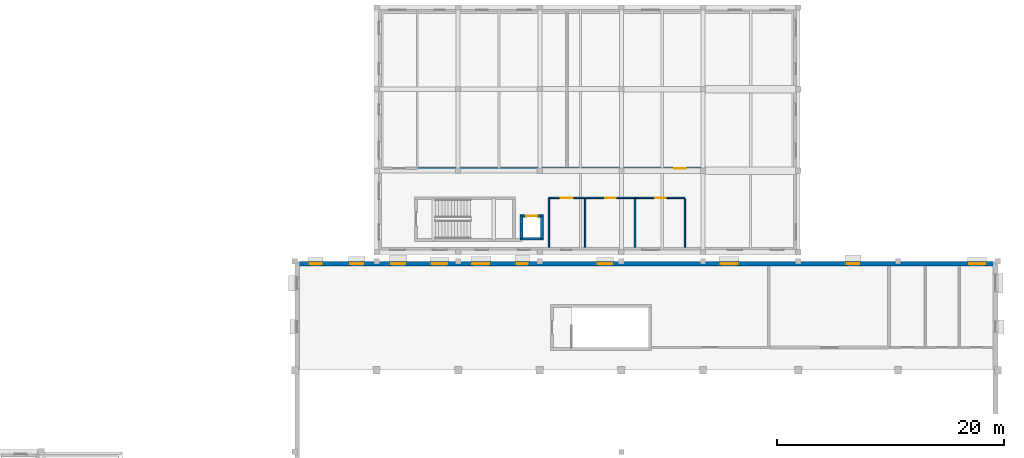
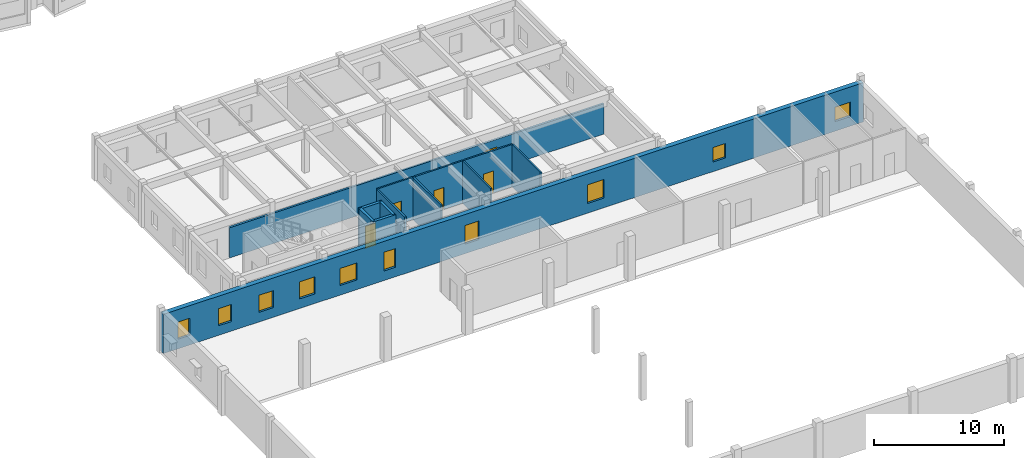
# One storey, part 35 of 49: 13 walls, 10 windows, 5 doors, 15 openings.
"""IFC4 building model written with IfcOpenShell, lengths in metres."""

import ifcopenshell
import ifcopenshell.guid

model = None  # the IFC model being written
_history = None  # IfcOwnerHistory: only IFC2X3 demands one
_inside = {}  # id of a spatial element -> (the spatial element, [elements in it])
_under = {}  # id of a project, library or spatial element -> (it, [spatial elements below it])
_declared = {}  # id of a project -> (the project, [libraries it declares])
_typed = {}  # id of a type object -> (the type object, [elements of that type])
_made_of = {}  # id of a material, layer set ... -> (it, [elements and type objects made of it])


def new_model(schema):
    """Start an empty IFC model of exactly this schema.

    Asked for "IFC4X3", IfcOpenShell would pick the latest addendum, in which some entities
    have other attributes; the version numbers below select the first issue.
    IFC2X3 requires an IfcOwnerHistory on every rooted entity: one is made here for all.
    """
    global model, _history
    if schema == "IFC4X3":
        model = ifcopenshell.file(schema_version=(4, 3, 0, 0))
    else:
        model = ifcopenshell.file(schema=schema)
    _inside.clear()
    _under.clear()
    _declared.clear()
    _typed.clear()
    _made_of.clear()
    _history = None
    if model.schema == "IFC2X3":
        org = make("IfcOrganization", Name="unknown")
        user = make(
            "IfcPersonAndOrganization",
            ThePerson=make("IfcPerson", FamilyName="unknown"),
            TheOrganization=org,
        )
        app = make(
            "IfcApplication",
            ApplicationDeveloper=org,
            Version="unknown",
            ApplicationFullName="unknown",
            ApplicationIdentifier="unknown",
        )
        _history = make(
            "IfcOwnerHistory",
            OwningUser=user,
            OwningApplication=app,
            ChangeAction="ADDED",
            CreationDate=0,
        )
    return model


def make(cls, **values):
    """One entity of the class cls with the attributes given. An attribute that is None is left unset."""
    return model.create_entity(
        cls, **{name: value for name, value in values.items() if value is not None}
    )


def rooted(cls, **values):
    """An entity with a GlobalId (a new one), such as an element, a storey or a relation."""
    return make(cls, GlobalId=ifcopenshell.guid.new(), OwnerHistory=_history, **values)


def si_unit(unit_type, name, prefix=None):
    """IfcSIUnit, for example si_unit("LENGTHUNIT", "METRE", prefix="MILLI")."""
    return make("IfcSIUnit", UnitType=unit_type, Prefix=prefix, Name=name)


def assignment(units):
    """IfcUnitAssignment: the units of a project."""
    return None if units is None else make("IfcUnitAssignment", Units=units)


def point(xyz):
    """IfcCartesianPoint."""
    return None if xyz is None else make("IfcCartesianPoint", Coordinates=xyz)


def direction(xyz):
    """IfcDirection."""
    return None if xyz is None else make("IfcDirection", DirectionRatios=xyz)


def frame(location, z_axis=None, x_axis=None):
    """IfcAxis2Placement3D, a coordinate frame: its origin and axes. An axis left out is left unset."""
    return make(
        "IfcAxis2Placement3D",
        Location=point(location),
        Axis=direction(z_axis),
        RefDirection=direction(x_axis),
    )


def frame_2d(location, x_axis=None):
    """IfcAxis2Placement2D, a coordinate frame in the plane: its origin and x axis."""
    return make(
        "IfcAxis2Placement2D", Location=point(location), RefDirection=direction(x_axis)
    )


def origin():
    """The frame at (0, 0, 0) with its axes left unset."""
    return frame((0.0, 0.0, 0.0))


def place(relative_to, where):
    """IfcLocalPlacement: puts the frame where relative to a parent placement (None: the world)."""
    return make(
        "IfcLocalPlacement", PlacementRelTo=relative_to, RelativePlacement=where
    )


def context(
    kind, dimensions, precision=None, world=None, true_north=None, identifier=None
):
    """IfcGeometricRepresentationContext, for example the 3D "Model" context."""
    return make(
        "IfcGeometricRepresentationContext",
        ContextIdentifier=identifier,
        ContextType=kind,
        CoordinateSpaceDimension=dimensions,
        Precision=precision,
        WorldCoordinateSystem=world,
        TrueNorth=true_north,
    )


def subcontext(parent, identifier, kind, view, scale=None):
    """IfcGeometricRepresentationSubContext, for example "Body" below "Model"."""
    return make(
        "IfcGeometricRepresentationSubContext",
        ContextIdentifier=identifier,
        ContextType=kind,
        ParentContext=parent,
        TargetScale=scale,
        TargetView=view,
    )


def project(units=None, contexts=None):
    """IfcProject with its units and contexts."""
    return rooted(
        "IfcProject",
        Name="project",
        RepresentationContexts=contexts,
        UnitsInContext=assignment(units),
    )


def spatial(cls, under=None, at=None, **own):
    """A site, building, storey or space (cls), placed at a placement, below another one or the project."""
    s = rooted(cls, ObjectPlacement=at, **own)
    if under is not None:
        _under.setdefault(under.id(), (under, []))[1].append(s)
    return s


def profile(cls, at=None, kind="AREA", **sizes):
    """A parametric profile (cls). Its sizes go by their IFC names, for example OverallWidth=200.0."""
    return make(cls, ProfileType=kind, Position=at, **sizes)


def rectangle(**sizes):
    """IfcRectangleProfileDef."""
    return profile("IfcRectangleProfileDef", **sizes)


def extrude(swept, where, along, depth):
    """IfcExtrudedAreaSolid: the profile swept, set in the frame where, extruded along a direction by depth."""
    return make(
        "IfcExtrudedAreaSolid",
        SweptArea=swept,
        Position=where,
        ExtrudedDirection=direction(along),
        Depth=depth,
    )


def shape(context_of_items, identifier, shape_type, items):
    """IfcShapeRepresentation: the items that make up one representation, for example the "Body"."""
    return make(
        "IfcShapeRepresentation",
        ContextOfItems=context_of_items,
        RepresentationIdentifier=identifier,
        RepresentationType=shape_type,
        Items=items,
    )


def material(Name=None, Category=None):
    """IfcMaterial."""
    return make("IfcMaterial", Name=Name, Category=Category)


def layer(
    of_material, thickness, ventilated=None, Name=None, Category=None, Priority=None
):
    """IfcMaterialLayer: one layer of a wall or slab, of a material (None: an air gap)."""
    return make(
        "IfcMaterialLayer",
        Material=of_material,
        LayerThickness=thickness,
        IsVentilated=ventilated,
        Name=Name,
        Category=Category,
        Priority=Priority,
    )


def layer_set(layers, Name=None):
    """IfcMaterialLayerSet."""
    return make("IfcMaterialLayerSet", MaterialLayers=layers, LayerSetName=Name)


def made_of(thing, what):
    """Note that an element or type object is made of a material, layer set ...; save() writes the relation."""
    if what is not None:
        _made_of.setdefault(what.id(), (what, []))[1].append(thing)
    return thing


def type_object(cls, material=None, **own):
    """A type object (cls), such as IfcWallType, which elements share."""
    return made_of(rooted(cls, **own), material)


def element(
    cls,
    number,
    at=None,
    inside=None,
    cuts=None,
    type_object=None,
    material=None,
    context=None,
    identifier="Body",
    shape_type=None,
    held_by="IfcProductDefinitionShape",
    body=None,
    shapes=None,
    **own,
):
    """One element of the class cls, such as IfcWall. Its Tag is "e" and its number.

    at: its placement. inside: the storey or other place that contains it. cuts: it is an
    opening in that element (IfcRelVoidsElement). A single representation is given by context,
    identifier, shape_type and body (its items); several are given by shapes. held_by: the class
    of the entity that holds the representations. save() writes the other relations.
    """
    e = rooted(cls, Tag="e%d" % number, ObjectPlacement=at, **own)
    if body is not None:
        shapes = [shape(context, identifier, shape_type, body)]
    if shapes is not None:
        e.Representation = make(held_by, Representations=shapes)
    if inside is not None:
        _inside.setdefault(inside.id(), (inside, []))[1].append(e)
    if cuts is not None:
        rooted(
            "IfcRelVoidsElement", RelatingBuildingElement=cuts, RelatedOpeningElement=e
        )
    if type_object is not None:
        _typed.setdefault(type_object.id(), (type_object, []))[1].append(e)
    return made_of(e, material)


def fill(opening, filler):
    """IfcRelFillsElement: the door or window that sits in an opening."""
    return rooted(
        "IfcRelFillsElement",
        RelatingOpeningElement=opening,
        RelatedBuildingElement=filler,
    )


def aggregate(whole, parts):
    """IfcRelAggregates: a whole, such as a stair, and the parts it consists of."""
    return rooted("IfcRelAggregates", RelatingObject=whole, RelatedObjects=parts)


def save(model, path):
    """Write the relations noted so far, then the file.

    IfcRelAggregates (storeys below a building ...), IfcRelContainedInSpatialStructure (elements
    in a storey), IfcRelDefinesByType, IfcRelAssociatesMaterial and IfcRelDeclares: one each for
    every whole, place, type object, material and project.
    """
    for whole, parts in _under.values():
        aggregate(whole, parts)
    for where, things in _inside.values():
        rooted(
            "IfcRelContainedInSpatialStructure",
            RelatedElements=things,
            RelatingStructure=where,
        )
    for kind, things in _typed.values():
        rooted("IfcRelDefinesByType", RelatedObjects=things, RelatingType=kind)
    for what, things in _made_of.values():
        rooted("IfcRelAssociatesMaterial", RelatedObjects=things, RelatingMaterial=what)
    for by, libraries in _declared.values():
        rooted("IfcRelDeclares", RelatingContext=by, RelatedDefinitions=libraries)
    model.write(path)


model = new_model("IFC4")

# Units and contexts
model_context = context("Model", 3, precision=1e-05, world=origin(), true_north=direction((0.0, 1.0)))
body_context = subcontext(model_context, "Body", "Model", "MODEL_VIEW")
ifc_project = project(units=[si_unit("LENGTHUNIT", "METRE"), si_unit("AREAUNIT", "SQUARE_METRE"), si_unit("VOLUMEUNIT", "CUBIC_METRE"), si_unit("PLANEANGLEUNIT", "RADIAN"), si_unit("MASSUNIT", "GRAM", prefix="KILO")], contexts=[model_context])

# Site, building, storey
site_placement = place(None, origin())
site = spatial("IfcSite", under=ifc_project, at=site_placement, CompositionType="ELEMENT")
building_placement = place(site_placement, origin())
building = spatial("IfcBuilding", under=site, at=building_placement, Name="Bramveld Media Centre", CompositionType="ELEMENT")
storey_placement = place(building_placement, frame((0.0, 0.0, 9.60009765625)))
storey = spatial("IfcBuildingStorey", under=building, at=storey_placement, Name="L02", CompositionType="ELEMENT", Elevation=9.60009765625)

# Wall
ifc_material_1 = material(Name="Concrete C40/50 stair & lift core wall", Category="concrete")
ifc_layer_1 = layer(ifc_material_1, 0.25)
ifc_layer_set_1 = layer_set([ifc_layer_1], Name="Concrete C40/50 stair & lift core wall")
wall_type_1 = type_object("IfcWallType", Name="CWALL-SHEAR-250", PredefinedType="SHEAR", material=ifc_layer_set_1)
wall_1_placement = place(storey_placement, frame((143.875, 40.39990234375, 0.0), z_axis=(0.0, 0.0, 1.0), x_axis=(1.0, 0.0, 0.0)))
element("IfcWall", 1, at=wall_1_placement, inside=storey, type_object=wall_type_1, Name="PL-06 L02 lift shaft wall S", PredefinedType="SHEAR", context=body_context, shape_type="SweptSolid", body=[
    extrude(rectangle(XDim=2.050048828125, YDim=0.25, at=frame_2d((1.02490234375, 0.0))), origin(), (0.0, 0.0, 1.0), 3.9599609375),
])

# Wall, opening, door
wall_2_placement = place(storey_placement, frame((145.925048828125, 42.39990234375, 0.0), z_axis=(0.0, 0.0, 1.0), x_axis=(-1.0, 0.0, 0.0)))
wall_2 = element("IfcWall", 2, at=wall_2_placement, inside=storey, type_object=wall_type_1, Name="PL-06 L02 lift shaft wall N", PredefinedType="SHEAR", context=body_context, shape_type="SweptSolid", body=[
    extrude(rectangle(XDim=2.050048828125, YDim=0.25, at=frame_2d((1.02490234375, 0.0))), origin(), (0.0, 0.0, 1.0), 3.9599609375),
])
opening_1_placement = place(wall_2_placement, frame((0.550048828125, 0.0, 0.0)))
opening_1 = element("IfcOpeningElement", 3, at=opening_1_placement, cuts=wall_2, Name="Opening LD-03-06-L02", PredefinedType="OPENING", context=body_context, shape_type="SweptSolid", body=[
    extrude(rectangle(XDim=0.949951171875, YDim=2.10009765625, at=frame_2d((0.47509765625, 1.050048828125))), frame((0.0, 0.136962890625, 0.0), z_axis=(0.0, -1.0, 0.0), x_axis=(1.0, 0.0, 0.0)), (0.0, 0.0, 1.0), 0.27392578125),
])
ifc_material_2 = material(Name="Brushed stainless steel automatic fire-rated sliding lift landing door", Category="steel")
door_type_1 = type_object("IfcDoorType", Name="LD-TYPE-03", OperationType="SLIDING_TO_LEFT", PredefinedType="DOOR", material=ifc_material_2)
door_1_placement = place(opening_1_placement, origin())
door_1 = element("IfcDoor", 4, at=door_1_placement, inside=storey, type_object=door_type_1, Name="PL-06 L02 sliding lift landing door", OperationType="SLIDING_TO_LEFT", OverallHeight=2.10009765625, OverallWidth=0.949951171875, PredefinedType="DOOR", context=body_context, shape_type="SweptSolid", body=[
    extrude(rectangle(XDim=0.949951171875, YDim=2.10009765625, at=frame_2d((0.47509765625, 1.050048828125))), frame((0.0, 0.02490234375, 0.0), z_axis=(0.0, -1.0, 0.0), x_axis=(1.0, 0.0, 0.0)), (0.0, 0.0, 1.0), 0.050048828125),
])
fill(opening_1, door_1)

# Walls
for number, where, z_axis, x_axis, name in (
    (5, (144.0, 42.39990234375, 0.0), (0.0, 0.0, 1.0), (0.0, -1.0, 0.0), "PL-06 L02 lift shaft wall W"),
    (6, (145.800048828125, 40.39990234375, 0.0), (0.0, 0.0, 1.0), (0.0, 1.0, 0.0), "PL-06 L02 lift shaft wall E"),
):
    element("IfcWall", number, at=place(storey_placement, frame(where, z_axis=z_axis, x_axis=x_axis)), inside=storey, type_object=wall_type_1, Name=name, PredefinedType="SHEAR", context=body_context, shape_type="SweptSolid", body=[
        extrude(rectangle(XDim=2.0, YDim=0.25, at=frame_2d((1.0, 0.0))), origin(), (0.0, 0.0, 1.0), 3.9599609375),
    ])

# Wall, openings, windows
ifc_material_3 = material(Name="Flemish red-brown clay facing brick cavity wall with concrete C35/45 inner leaf", Category="masonry")
ifc_layer_2 = layer(ifc_material_3, 0.419921875)
ifc_layer_set_2 = layer_set([ifc_layer_2], Name="Flemish red-brown clay facing brick cavity wall with concrete C35/45 inner leaf")
wall_type_2 = type_object("IfcWallType", Name="EW-BRK-420", PredefinedType="SOLIDWALL", material=ifc_layer_set_2)
wall_3_placement = place(storey_placement, frame((124.0, 38.18994140625, 0.0), z_axis=(0.0, 0.0, 1.0), x_axis=(1.0, 0.0, 0.0)))
wall_3 = element("IfcWall", 7, at=wall_3_placement, inside=storey, type_object=wall_type_2, Name="V1 L02 N facing brick exterior wall", PredefinedType="SOLIDWALL", context=body_context, shape_type="SweptSolid", body=[
    extrude(rectangle(XDim=62.0, YDim=0.419921875, at=frame_2d((31.0, 0.0))), origin(), (0.0, 0.0, 1.0), 3.6748046875),
])
opening_2_placement = place(wall_3_placement, frame((1.298583984375, 0.0, 0.89990234375)))
opening_2 = element("IfcOpeningElement", 8, at=opening_2_placement, cuts=wall_3, Name="Opening W-14", PredefinedType="OPENING", context=body_context, shape_type="SweptSolid", body=[
    extrude(rectangle(XDim=1.050048828125, YDim=1.60009765625, at=frame_2d((0.52490234375, 0.800048828125))), frame((0.0, 0.221923828125, 0.0), z_axis=(0.0, -1.0, 0.0), x_axis=(1.0, 0.0, 0.0)), (0.0, 0.0, 1.0), 0.44384765625),
])
opening_3_placement = place(wall_3_placement, frame((4.8955078125, 0.0, 0.89990234375)))
opening_3 = element("IfcOpeningElement", 9, at=opening_3_placement, cuts=wall_3, Name="Opening W-15", PredefinedType="OPENING", context=body_context, shape_type="SweptSolid", body=[
    extrude(rectangle(XDim=1.14990234375, YDim=1.60009765625, at=frame_2d((0.574951171875, 0.800048828125))), frame((0.0, 0.221923828125, 0.0), z_axis=(0.0, -1.0, 0.0), x_axis=(1.0, 0.0, 0.0)), (0.0, 0.0, 1.0), 0.44384765625),
])
opening_4_placement = place(wall_3_placement, frame((8.49267578125, 0.0, 0.89990234375)))
opening_4 = element("IfcOpeningElement", 10, at=opening_4_placement, cuts=wall_3, Name="Opening W-16", PredefinedType="OPENING", context=body_context, shape_type="SweptSolid", body=[
    extrude(rectangle(XDim=1.25, YDim=1.60009765625, at=frame_2d((0.625, 0.800048828125))), frame((0.0, 0.221923828125, 0.0), z_axis=(0.0, -1.0, 0.0), x_axis=(1.0, 0.0, 0.0)), (0.0, 0.0, 1.0), 0.44384765625),
])
opening_5_placement = place(wall_3_placement, frame((12.07470703125, 0.0, 0.89990234375)))
opening_5 = element("IfcOpeningElement", 11, at=opening_5_placement, cuts=wall_3, Name="Opening W-17", PredefinedType="OPENING", context=body_context, shape_type="SweptSolid", body=[
    extrude(rectangle(XDim=1.3798828125, YDim=1.60009765625, at=frame_2d((0.68994140625, 0.800048828125))), frame((0.0, 0.221923828125, 0.0), z_axis=(0.0, -1.0, 0.0), x_axis=(1.0, 0.0, 0.0)), (0.0, 0.0, 1.0), 0.44384765625),
])
opening_6_placement = place(wall_3_placement, frame((15.661865234375, 0.0, 0.89990234375)))
opening_6 = element("IfcOpeningElement", 12, at=opening_6_placement, cuts=wall_3, Name="Opening W-18", PredefinedType="OPENING", context=body_context, shape_type="SweptSolid", body=[
    extrude(rectangle(XDim=1.5, YDim=1.60009765625, at=frame_2d((0.75, 0.800048828125))), frame((0.0, 0.221923828125, 0.0), z_axis=(0.0, -1.0, 0.0), x_axis=(1.0, 0.0, 0.0)), (0.0, 0.0, 1.0), 0.44384765625),
])
opening_7_placement = place(wall_3_placement, frame((19.558837890625, 0.0, 0.89990234375)))
opening_7 = element("IfcOpeningElement", 13, at=opening_7_placement, cuts=wall_3, Name="Opening W-19", PredefinedType="OPENING", context=body_context, shape_type="SweptSolid", body=[
    extrude(rectangle(XDim=1.0, YDim=1.75, at=frame_2d((0.5, 0.875))), frame((0.0, 0.221923828125, 0.0), z_axis=(0.0, -1.0, 0.0), x_axis=(1.0, 0.0, 0.0)), (0.0, 0.0, 1.0), 0.44384765625),
])
opening_8_placement = place(wall_3_placement, frame((26.73291015625, 0.0, 0.89990234375)))
opening_8 = element("IfcOpeningElement", 14, at=opening_8_placement, cuts=wall_3, Name="Opening W-21", PredefinedType="OPENING", context=body_context, shape_type="SweptSolid", body=[
    extrude(rectangle(XDim=1.239990234375, YDim=1.75, at=frame_2d((0.6201171875, 0.875))), frame((0.0, 0.221923828125, 0.0), z_axis=(0.0, -1.0, 0.0), x_axis=(1.0, 0.0, 0.0)), (0.0, 0.0, 1.0), 0.44384765625),
])
opening_9_placement = place(wall_3_placement, frame((37.544189453125, 0.0, 0.89990234375)))
opening_9 = element("IfcOpeningElement", 15, at=opening_9_placement, cuts=wall_3, Name="Opening W-24", PredefinedType="OPENING", context=body_context, shape_type="SweptSolid", body=[
    extrude(rectangle(XDim=1.5, YDim=1.75, at=frame_2d((0.75, 0.875))), frame((0.0, 0.221923828125, 0.0), z_axis=(0.0, -1.0, 0.0), x_axis=(1.0, 0.0, 0.0)), (0.0, 0.0, 1.0), 0.44384765625),
])
opening_10_placement = place(wall_3_placement, frame((48.685302734375, 0.0, 0.89990234375)))
opening_10 = element("IfcOpeningElement", 16, at=opening_10_placement, cuts=wall_3, Name="Opening W-03", PredefinedType="OPENING", context=body_context, shape_type="SweptSolid", body=[
    extrude(rectangle(XDim=1.10009765625, YDim=1.35009765625, at=frame_2d((0.550048828125, 0.675048828125))), frame((0.0, 0.221923828125, 0.0), z_axis=(0.0, -1.0, 0.0), x_axis=(1.0, 0.0, 0.0)), (0.0, 0.0, 1.0), 0.44384765625),
])
opening_11_placement = place(wall_3_placement, frame((59.4765625, 0.0, 0.89990234375)))
opening_11 = element("IfcOpeningElement", 17, at=opening_11_placement, cuts=wall_3, Name="Opening W-06", PredefinedType="OPENING", context=body_context, shape_type="SweptSolid", body=[
    extrude(rectangle(XDim=1.39990234375, YDim=1.35009765625, at=frame_2d((0.699951171875, 0.675048828125))), frame((0.0, 0.221923828125, 0.0), z_axis=(0.0, -1.0, 0.0), x_axis=(1.0, 0.0, 0.0)), (0.0, 0.0, 1.0), 0.44384765625),
])
ifc_material_4 = material(Name="Thermally broken anodized bronze aluminium frame with triple acoustic glazing", Category="aluminium")
window_type_1 = type_object("IfcWindowType", Name="WIN-FAC-03", PartitioningType="SINGLE_PANEL", PredefinedType="WINDOW", material=ifc_material_4)
window_1_placement = place(opening_10_placement, origin())
window_1 = element("IfcWindow", 18, at=window_1_placement, inside=storey, type_object=window_type_1, Name="V1 L02 N acoustic facade window", OverallHeight=1.35009765625, OverallWidth=1.10009765625, PartitioningType="SINGLE_PANEL", PredefinedType="WINDOW", context=body_context, shape_type="SweptSolid", body=[
    extrude(rectangle(XDim=1.10009765625, YDim=1.35009765625, at=frame_2d((0.550048828125, 0.675048828125))), frame((0.0, 0.030029296875, 0.0), z_axis=(0.0, -1.0, 0.0), x_axis=(1.0, 0.0, 0.0)), (0.0, 0.0, 1.0), 0.06005859375),
])
fill(opening_10, window_1)
ifc_material_5 = material(Name="Thermally broken anodized bronze aluminium frame with triple acoustic glazing", Category="aluminium")
window_type_2 = type_object("IfcWindowType", Name="WIN-FAC-06", PartitioningType="SINGLE_PANEL", PredefinedType="WINDOW", material=ifc_material_5)
window_2_placement = place(opening_11_placement, origin())
window_2 = element("IfcWindow", 19, at=window_2_placement, inside=storey, type_object=window_type_2, Name="V1 L02 N acoustic facade window", OverallHeight=1.35009765625, OverallWidth=1.39990234375, PartitioningType="SINGLE_PANEL", PredefinedType="WINDOW", context=body_context, shape_type="SweptSolid", body=[
    extrude(rectangle(XDim=1.39990234375, YDim=1.35009765625, at=frame_2d((0.699951171875, 0.675048828125))), frame((0.0, 0.030029296875, 0.0), z_axis=(0.0, -1.0, 0.0), x_axis=(1.0, 0.0, 0.0)), (0.0, 0.0, 1.0), 0.06005859375),
])
fill(opening_11, window_2)
ifc_material_6 = material(Name="Thermally broken anodized bronze aluminium frame with triple acoustic glazing", Category="aluminium")
window_type_3 = type_object("IfcWindowType", Name="WIN-FAC-14", PartitioningType="SINGLE_PANEL", PredefinedType="WINDOW", material=ifc_material_6)
window_3_placement = place(opening_2_placement, origin())
window_3 = element("IfcWindow", 20, at=window_3_placement, inside=storey, type_object=window_type_3, Name="V1 L02 N acoustic facade window", OverallHeight=1.60009765625, OverallWidth=1.050048828125, PartitioningType="SINGLE_PANEL", PredefinedType="WINDOW", context=body_context, shape_type="SweptSolid", body=[
    extrude(rectangle(XDim=1.050048828125, YDim=1.60009765625, at=frame_2d((0.52490234375, 0.800048828125))), frame((0.0, 0.030029296875, 0.0), z_axis=(0.0, -1.0, 0.0), x_axis=(1.0, 0.0, 0.0)), (0.0, 0.0, 1.0), 0.06005859375),
])
fill(opening_2, window_3)
ifc_material_7 = material(Name="Thermally broken anodized bronze aluminium frame with triple acoustic glazing", Category="aluminium")
window_type_4 = type_object("IfcWindowType", Name="WIN-FAC-15", PartitioningType="SINGLE_PANEL", PredefinedType="WINDOW", material=ifc_material_7)
window_4_placement = place(opening_3_placement, origin())
window_4 = element("IfcWindow", 21, at=window_4_placement, inside=storey, type_object=window_type_4, Name="V1 L02 N acoustic facade window", OverallHeight=1.60009765625, OverallWidth=1.14990234375, PartitioningType="SINGLE_PANEL", PredefinedType="WINDOW", context=body_context, shape_type="SweptSolid", body=[
    extrude(rectangle(XDim=1.14990234375, YDim=1.60009765625, at=frame_2d((0.574951171875, 0.800048828125))), frame((0.0, 0.030029296875, 0.0), z_axis=(0.0, -1.0, 0.0), x_axis=(1.0, 0.0, 0.0)), (0.0, 0.0, 1.0), 0.06005859375),
])
fill(opening_3, window_4)
ifc_material_8 = material(Name="Thermally broken anodized bronze aluminium frame with triple acoustic glazing", Category="aluminium")
window_type_5 = type_object("IfcWindowType", Name="WIN-FAC-16", PartitioningType="SINGLE_PANEL", PredefinedType="WINDOW", material=ifc_material_8)
window_5_placement = place(opening_4_placement, origin())
window_5 = element("IfcWindow", 22, at=window_5_placement, inside=storey, type_object=window_type_5, Name="V1 L02 N acoustic facade window", OverallHeight=1.60009765625, OverallWidth=1.25, PartitioningType="SINGLE_PANEL", PredefinedType="WINDOW", context=body_context, shape_type="SweptSolid", body=[
    extrude(rectangle(XDim=1.25, YDim=1.60009765625, at=frame_2d((0.625, 0.800048828125))), frame((0.0, 0.030029296875, 0.0), z_axis=(0.0, -1.0, 0.0), x_axis=(1.0, 0.0, 0.0)), (0.0, 0.0, 1.0), 0.06005859375),
])
fill(opening_4, window_5)
ifc_material_9 = material(Name="Thermally broken anodized bronze aluminium frame with triple acoustic glazing", Category="aluminium")
window_type_6 = type_object("IfcWindowType", Name="WIN-FAC-17", PartitioningType="SINGLE_PANEL", PredefinedType="WINDOW", material=ifc_material_9)
window_6_placement = place(opening_5_placement, origin())
window_6 = element("IfcWindow", 23, at=window_6_placement, inside=storey, type_object=window_type_6, Name="V1 L02 N acoustic facade window", OverallHeight=1.60009765625, OverallWidth=1.3798828125, PartitioningType="SINGLE_PANEL", PredefinedType="WINDOW", context=body_context, shape_type="SweptSolid", body=[
    extrude(rectangle(XDim=1.3798828125, YDim=1.60009765625, at=frame_2d((0.68994140625, 0.800048828125))), frame((0.0, 0.030029296875, 0.0), z_axis=(0.0, -1.0, 0.0), x_axis=(1.0, 0.0, 0.0)), (0.0, 0.0, 1.0), 0.06005859375),
])
fill(opening_5, window_6)
ifc_material_10 = material(Name="Thermally broken anodized bronze aluminium frame with triple acoustic glazing", Category="aluminium")
window_type_7 = type_object("IfcWindowType", Name="WIN-FAC-18", PartitioningType="SINGLE_PANEL", PredefinedType="WINDOW", material=ifc_material_10)
window_7_placement = place(opening_6_placement, origin())
window_7 = element("IfcWindow", 24, at=window_7_placement, inside=storey, type_object=window_type_7, Name="V1 L02 N acoustic facade window", OverallHeight=1.60009765625, OverallWidth=1.5, PartitioningType="SINGLE_PANEL", PredefinedType="WINDOW", context=body_context, shape_type="SweptSolid", body=[
    extrude(rectangle(XDim=1.5, YDim=1.60009765625, at=frame_2d((0.75, 0.800048828125))), frame((0.0, 0.030029296875, 0.0), z_axis=(0.0, -1.0, 0.0), x_axis=(1.0, 0.0, 0.0)), (0.0, 0.0, 1.0), 0.06005859375),
])
fill(opening_6, window_7)
ifc_material_11 = material(Name="Thermally broken anodized bronze aluminium frame with triple acoustic glazing", Category="aluminium")
window_type_8 = type_object("IfcWindowType", Name="WIN-FAC-19", PartitioningType="SINGLE_PANEL", PredefinedType="WINDOW", material=ifc_material_11)
window_8_placement = place(opening_7_placement, origin())
window_8 = element("IfcWindow", 25, at=window_8_placement, inside=storey, type_object=window_type_8, Name="V1 L02 N acoustic facade window", OverallHeight=1.75, OverallWidth=1.0, PartitioningType="SINGLE_PANEL", PredefinedType="WINDOW", context=body_context, shape_type="SweptSolid", body=[
    extrude(rectangle(XDim=1.0, YDim=1.75, at=frame_2d((0.5, 0.875))), frame((0.0, 0.030029296875, 0.0), z_axis=(0.0, -1.0, 0.0), x_axis=(1.0, 0.0, 0.0)), (0.0, 0.0, 1.0), 0.06005859375),
])
fill(opening_7, window_8)
ifc_material_12 = material(Name="Thermally broken anodized bronze aluminium frame with triple acoustic glazing", Category="aluminium")
window_type_9 = type_object("IfcWindowType", Name="WIN-FAC-21", PartitioningType="SINGLE_PANEL", PredefinedType="WINDOW", material=ifc_material_12)
window_9_placement = place(opening_8_placement, origin())
window_9 = element("IfcWindow", 26, at=window_9_placement, inside=storey, type_object=window_type_9, Name="V1 L02 N acoustic facade window", OverallHeight=1.75, OverallWidth=1.239990234375, PartitioningType="SINGLE_PANEL", PredefinedType="WINDOW", context=body_context, shape_type="SweptSolid", body=[
    extrude(rectangle(XDim=1.239990234375, YDim=1.75, at=frame_2d((0.6201171875, 0.875))), frame((0.0, 0.030029296875, 0.0), z_axis=(0.0, -1.0, 0.0), x_axis=(1.0, 0.0, 0.0)), (0.0, 0.0, 1.0), 0.06005859375),
])
fill(opening_8, window_9)
ifc_material_13 = material(Name="Thermally broken anodized bronze aluminium frame with triple acoustic glazing", Category="aluminium")
window_type_10 = type_object("IfcWindowType", Name="WIN-FAC-24", PartitioningType="SINGLE_PANEL", PredefinedType="WINDOW", material=ifc_material_13)
window_10_placement = place(opening_9_placement, origin())
window_10 = element("IfcWindow", 27, at=window_10_placement, inside=storey, type_object=window_type_10, Name="V1 L02 N acoustic facade window", OverallHeight=1.75, OverallWidth=1.5, PartitioningType="SINGLE_PANEL", PredefinedType="WINDOW", context=body_context, shape_type="SweptSolid", body=[
    extrude(rectangle(XDim=1.5, YDim=1.75, at=frame_2d((0.75, 0.875))), frame((0.0, 0.030029296875, 0.0), z_axis=(0.0, -1.0, 0.0), x_axis=(1.0, 0.0, 0.0)), (0.0, 0.0, 1.0), 0.06005859375),
])
fill(opening_9, window_10)

# Wall, opening, door
ifc_material_14 = material(Name="Fire-rated twin-frame gypsum corridor wall", Category="gypsum")
ifc_layer_3 = layer(ifc_material_14, 0.179931640625)
ifc_layer_set_3 = layer_set([ifc_layer_3], Name="Fire-rated twin-frame gypsum corridor wall")
wall_type_3 = type_object("IfcWallType", Name="IW-FIRE-180", PredefinedType="PARTITIONING", material=ifc_layer_set_3)
wall_4_placement = place(storey_placement, frame((134.800048828125, 46.60009765625, 0.0), z_axis=(0.0, 0.0, 1.0), x_axis=(1.0, 0.0, 0.0)))
wall_4 = element("IfcWall", 28, at=wall_4_placement, inside=storey, type_object=wall_type_3, Name="Media Teaching Labs Corridor partition wall", PredefinedType="PARTITIONING", context=body_context, shape_type="SweptSolid", body=[
    extrude(rectangle(XDim=33.169921875, YDim=0.179931640625, at=frame_2d((16.5849609375, 0.0))), origin(), (0.0, 0.0, 1.0), 2.8349609375),
])
opening_12_placement = place(wall_4_placement, frame((22.675048828125, 0.0, 0.0)))
opening_12 = element("IfcOpeningElement", 29, at=opening_12_placement, cuts=wall_4, Name="Opening D-02-114", PredefinedType="OPENING", context=body_context, shape_type="SweptSolid", body=[
    extrude(rectangle(XDim=1.02001953125, YDim=2.1201171875, at=frame_2d((0.510009765625, 1.06005859375))), frame((0.0, 0.10205078125, 0.0), z_axis=(0.0, -1.0, 0.0), x_axis=(1.0, 0.0, 0.0)), (0.0, 0.0, 1.0), 0.203857421875),
])
ifc_material_15 = material(Name="Solid-core European oak acoustic timber leaf in steel frame", Category="steel")
door_type_2 = type_object("IfcDoorType", Name="DR-RM-1020", OperationType="NOTDEFINED", PredefinedType="DOOR", material=ifc_material_15)
door_2_placement = place(opening_12_placement, origin())
door_2 = element("IfcDoor", 30, at=door_2_placement, inside=storey, type_object=door_type_2, Name="Sound Design Teaching Lab entrance door", OperationType="SINGLE_SWING_LEFT", OverallHeight=2.1201171875, OverallWidth=1.02001953125, PredefinedType="DOOR", context=body_context, shape_type="SweptSolid", body=[
    extrude(rectangle(XDim=1.02001953125, YDim=2.1201171875, at=frame_2d((0.510009765625, 1.06005859375))), frame((0.0, 0.02490234375, 0.0), z_axis=(0.0, -1.0, 0.0), x_axis=(1.0, 0.0, 0.0)), (0.0, 0.0, 1.0), 0.050048828125),
])
fill(opening_12, door_2)

ifc_material_16 = material(Name="Moisture-resistant cement-board sanitary partition", Category="gypsum")
ifc_layer_4 = layer(ifc_material_16, 0.139892578125)
ifc_layer_set_4 = layer_set([ifc_layer_4], Name="Moisture-resistant cement-board sanitary partition")
wall_type_4 = type_object("IfcWallType", Name="IW-WET-140", PredefinedType="PARTITIONING", material=ifc_layer_set_4)
wall_5_placement = place(storey_placement, frame((146.39990234375, 44.0, 0.0), z_axis=(0.0, 0.0, 1.0), x_axis=(1.0, 0.0, 0.0)))
wall_5 = element("IfcWall", 31, at=wall_5_placement, inside=storey, type_object=wall_type_4, Name="Accessible WC partition wall", PredefinedType="PARTITIONING", context=body_context, shape_type="SweptSolid", body=[
    extrude(rectangle(XDim=3.2001953125, YDim=0.139892578125, at=frame_2d((1.60009765625, 0.0))), origin(), (0.0, 0.0, 1.0), 3.9599609375),
])
opening_13_placement = place(wall_5_placement, frame((1.070068359375, 0.0, 0.0)))
opening_13 = element("IfcOpeningElement", 32, at=opening_13_placement, cuts=wall_5, Name="Opening D-02-115", PredefinedType="OPENING", context=body_context, shape_type="SweptSolid", body=[
    extrude(rectangle(XDim=1.06005859375, YDim=2.10009765625, at=frame_2d((0.530029296875, 1.050048828125))), frame((0.0, 0.08203125, 0.0), z_axis=(0.0, -1.0, 0.0), x_axis=(1.0, 0.0, 0.0)), (0.0, 0.0, 1.0), 0.163818359375),
])
ifc_material_17 = material(Name="Solid-core European oak acoustic timber leaf in steel frame", Category="steel")
door_type_3 = type_object("IfcDoorType", Name="DR-WC-PMR-1060", OperationType="NOTDEFINED", PredefinedType="DOOR", material=ifc_material_17)
door_3_placement = place(opening_13_placement, origin())
door_3 = element("IfcDoor", 33, at=door_3_placement, inside=storey, type_object=door_type_3, Name="Accessible WC entrance door", OperationType="SINGLE_SWING_RIGHT", OverallHeight=2.10009765625, OverallWidth=1.06005859375, PredefinedType="DOOR", context=body_context, shape_type="SweptSolid", body=[
    extrude(rectangle(XDim=1.06005859375, YDim=2.10009765625, at=frame_2d((0.530029296875, 1.050048828125))), frame((0.0, 0.02490234375, 0.0), z_axis=(0.0, -1.0, 0.0), x_axis=(1.0, 0.0, 0.0)), (0.0, 0.0, 1.0), 0.050048828125),
])
fill(opening_13, door_3)

# Walls
for number, where, z_axis, x_axis, name in (
    (34, (146.39990234375, 39.6298828125, 0.0), (0.0, 0.0, 1.0), (0.0, 1.0, 0.0), "Accessible WC partition wall"),
    (35, (149.60009765625, 39.6298828125, 0.0), (0.0, 0.0, 1.0), (0.0, 1.0, 0.0), "Accessible WC partition wall"),
):
    element("IfcWall", number, at=place(storey_placement, frame(where, z_axis=z_axis, x_axis=x_axis)), inside=storey, type_object=wall_type_4, Name=name, PredefinedType="PARTITIONING", context=body_context, shape_type="SweptSolid", body=[
        extrude(rectangle(XDim=4.2900390625, YDim=0.139892578125, at=frame_2d((2.14501953125, 0.0))), origin(), (0.0, 0.0, 1.0), 3.9599609375),
    ])

# Wall, opening, door
wall_6_placement = place(storey_placement, frame((149.679931640625, 44.0, 0.0), z_axis=(0.0, 0.0, 1.0), x_axis=(1.0, 0.0, 0.0)))
wall_6 = element("IfcWall", 36, at=wall_6_placement, inside=storey, type_object=wall_type_4, Name="Male WC partition wall", PredefinedType="PARTITIONING", context=body_context, shape_type="SweptSolid", body=[
    extrude(rectangle(XDim=4.320068359375, YDim=0.139892578125, at=frame_2d((2.16015625, 0.0))), origin(), (0.0, 0.0, 1.0), 3.9599609375),
])
opening_14_placement = place(wall_6_placement, frame((1.715087890625, 0.0, 0.0)))
opening_14 = element("IfcOpeningElement", 37, at=opening_14_placement, cuts=wall_6, Name="Opening D-02-116", PredefinedType="OPENING", context=body_context, shape_type="SweptSolid", body=[
    extrude(rectangle(XDim=0.889892578125, YDim=2.050048828125, at=frame_2d((0.44482421875, 1.02490234375))), frame((0.0, 0.08203125, 0.0), z_axis=(0.0, -1.0, 0.0), x_axis=(1.0, 0.0, 0.0)), (0.0, 0.0, 1.0), 0.163818359375),
])
ifc_material_18 = material(Name="Solid-core European oak acoustic timber leaf in steel frame", Category="steel")
door_type_4 = type_object("IfcDoorType", Name="DR-WC-0890", OperationType="NOTDEFINED", PredefinedType="DOOR", material=ifc_material_18)
door_4_placement = place(opening_14_placement, origin())
door_4 = element("IfcDoor", 38, at=door_4_placement, inside=storey, type_object=door_type_4, Name="Male WC entrance door", OperationType="SINGLE_SWING_LEFT", OverallHeight=2.050048828125, OverallWidth=0.889892578125, PredefinedType="DOOR", context=body_context, shape_type="SweptSolid", body=[
    extrude(rectangle(XDim=0.889892578125, YDim=2.050048828125, at=frame_2d((0.44482421875, 1.02490234375))), frame((0.0, 0.02490234375, 0.0), z_axis=(0.0, -1.0, 0.0), x_axis=(1.0, 0.0, 0.0)), (0.0, 0.0, 1.0), 0.050048828125),
])
fill(opening_14, door_4)

# Wall
wall_7_placement = place(storey_placement, frame((154.0, 39.6298828125, 0.0), z_axis=(0.0, 0.0, 1.0), x_axis=(0.0, 1.0, 0.0)))
element("IfcWall", 39, at=wall_7_placement, inside=storey, type_object=wall_type_4, Name="Male WC partition wall", PredefinedType="PARTITIONING", context=body_context, shape_type="SweptSolid", body=[
    extrude(rectangle(XDim=4.2900390625, YDim=0.139892578125, at=frame_2d((2.14501953125, 0.0))), origin(), (0.0, 0.0, 1.0), 3.9599609375),
])

# Wall, opening, door
wall_8_placement = place(storey_placement, frame((154.080078125, 44.0, 0.0), z_axis=(0.0, 0.0, 1.0), x_axis=(1.0, 0.0, 0.0)))
wall_8 = element("IfcWall", 40, at=wall_8_placement, inside=storey, type_object=wall_type_4, Name="Female WC partition wall", PredefinedType="PARTITIONING", context=body_context, shape_type="SweptSolid", body=[
    extrude(rectangle(XDim=4.31982421875, YDim=0.139892578125, at=frame_2d((2.159912109375, 0.0))), origin(), (0.0, 0.0, 1.0), 3.9599609375),
])
opening_15_placement = place(wall_8_placement, frame((1.705078125, 0.0, 0.0)))
opening_15 = element("IfcOpeningElement", 41, at=opening_15_placement, cuts=wall_8, Name="Opening D-02-117", PredefinedType="OPENING", context=body_context, shape_type="SweptSolid", body=[
    extrude(rectangle(XDim=0.909912109375, YDim=2.06005859375, at=frame_2d((0.455078125, 1.030029296875))), frame((0.0, 0.08203125, 0.0), z_axis=(0.0, -1.0, 0.0), x_axis=(1.0, 0.0, 0.0)), (0.0, 0.0, 1.0), 0.163818359375),
])
ifc_material_19 = material(Name="Solid-core European oak acoustic timber leaf in steel frame", Category="steel")
door_type_5 = type_object("IfcDoorType", Name="DR-WC-0910", OperationType="NOTDEFINED", PredefinedType="DOOR", material=ifc_material_19)
door_5_placement = place(opening_15_placement, origin())
door_5 = element("IfcDoor", 42, at=door_5_placement, inside=storey, type_object=door_type_5, Name="Female WC entrance door", OperationType="SINGLE_SWING_RIGHT", OverallHeight=2.06005859375, OverallWidth=0.909912109375, PredefinedType="DOOR", context=body_context, shape_type="SweptSolid", body=[
    extrude(rectangle(XDim=0.909912109375, YDim=2.06005859375, at=frame_2d((0.455078125, 1.030029296875))), frame((0.0, 0.02490234375, 0.0), z_axis=(0.0, -1.0, 0.0), x_axis=(1.0, 0.0, 0.0)), (0.0, 0.0, 1.0), 0.050048828125),
])
fill(opening_15, door_5)

# Wall
wall_9_placement = place(storey_placement, frame((158.39990234375, 39.6298828125, 0.0), z_axis=(0.0, 0.0, 1.0), x_axis=(0.0, 1.0, 0.0)))
element("IfcWall", 43, at=wall_9_placement, inside=storey, type_object=wall_type_4, Name="Female WC partition wall", PredefinedType="PARTITIONING", context=body_context, shape_type="SweptSolid", body=[
    extrude(rectangle(XDim=4.2900390625, YDim=0.139892578125, at=frame_2d((2.14501953125, 0.0))), origin(), (0.0, 0.0, 1.0), 3.9599609375),
])

save(model, "model.ifc")
